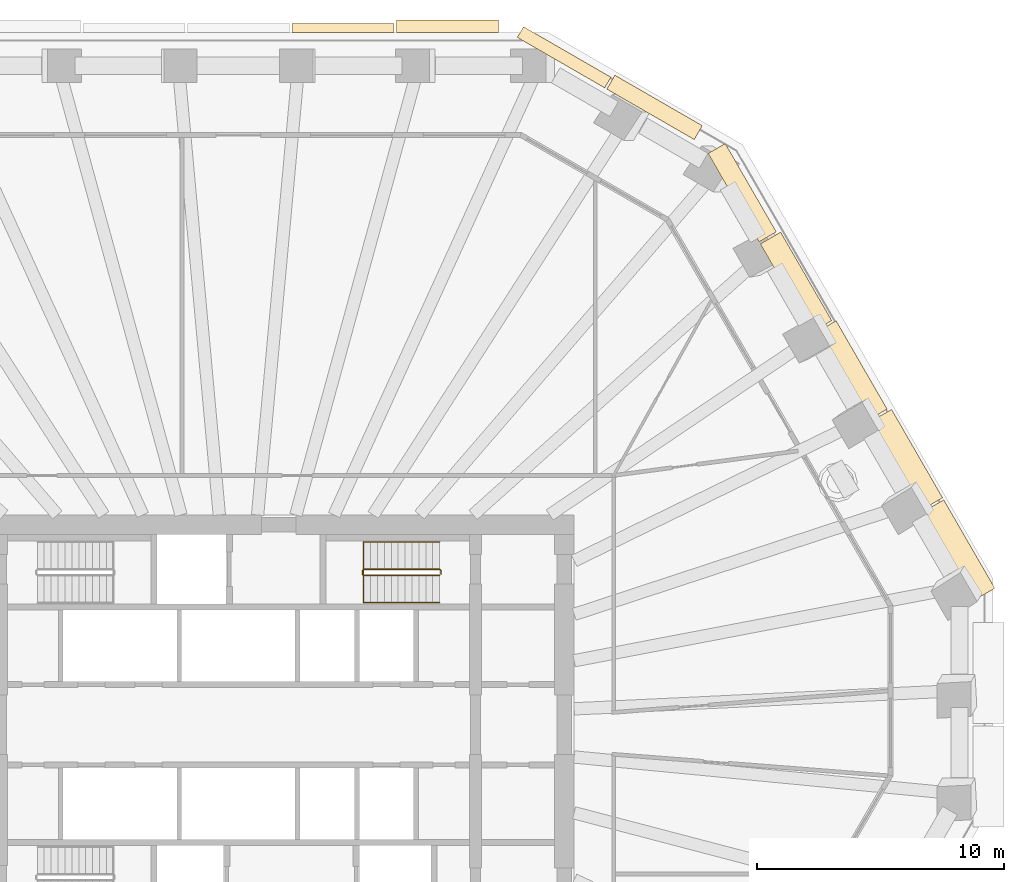
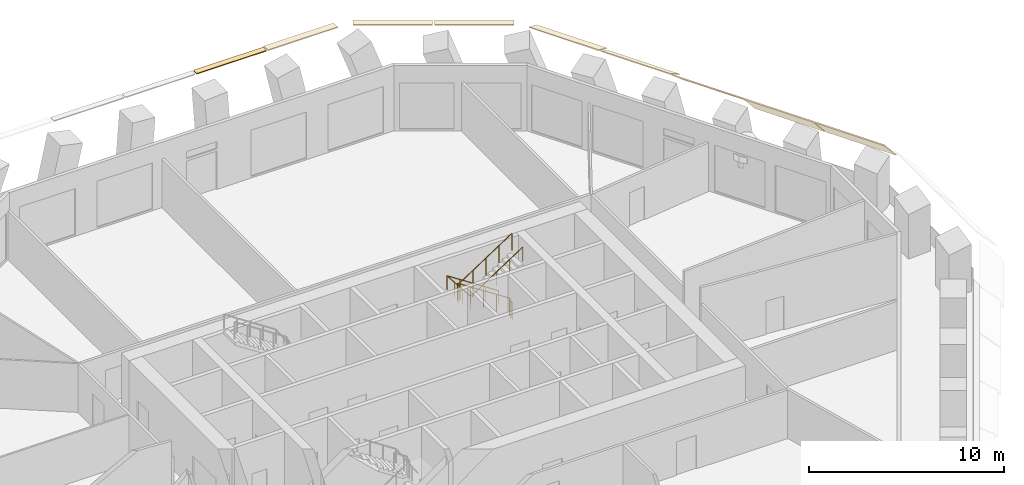
# One storey, part 10 of 12: 9 coverings, 2 railings.
"""IFC4 building model written with IfcOpenShell, lengths in metres."""

from ifc_helpers import new_model, si_unit, direction, frame, origin, origin_2d, place, context, subcontext, project, spatial, polyline, circle, outline, extrude, material, layer, layer_set, type_object, element, save


model = new_model("IFC4")

# Units and contexts
model_context = context("Model", 3, precision=1e-05, world=origin(), true_north=direction((0.0, 1.0)))
body_context = subcontext(model_context, "Body", "Model", "MODEL_VIEW")
ifc_project = project(units=[si_unit("LENGTHUNIT", "METRE"), si_unit("AREAUNIT", "SQUARE_METRE"), si_unit("VOLUMEUNIT", "CUBIC_METRE"), si_unit("PLANEANGLEUNIT", "RADIAN"), si_unit("MASSUNIT", "GRAM", prefix="KILO")], contexts=[model_context])

# Site, building, storey
site_placement = place(None, origin())
site = spatial("IfcSite", under=ifc_project, at=site_placement, CompositionType="ELEMENT")
building_placement = place(site_placement, origin())
building = spatial("IfcBuilding", under=site, at=building_placement, Name="Frailejon Research Tower", CompositionType="ELEMENT")
storey_placement = place(building_placement, frame((0.0, 0.0, 135.199951171875)))
storey = spatial("IfcBuildingStorey", under=building, at=storey_placement, Name="L29", CompositionType="ELEMENT", Elevation=135.199951171875)

# Coverings
ifc_material_1 = material(Name="Precast concrete C50/60", Category="concrete")
ifc_layer_1 = layer(ifc_material_1, 0.06005859375)
ifc_layer_set_1 = layer_set([ifc_layer_1], Name="Brim blade depth 1100")
covering_type_1 = type_object("IfcCoveringType", Name="Brim blade depth 1100", PredefinedType="CLADDING", material=ifc_layer_set_1)
covering_1_placement = place(storey_placement, frame((23.259033203125, 15.814208984375, 4.25), z_axis=(0.500001996169, -0.866024251293, 0.0), x_axis=(0.866024251293, 0.500001996169, 0.0)))
element("IfcCovering", 1, at=covering_1_placement, inside=storey, type_object=covering_type_1, Name="Brim blade L29", PredefinedType="CLADDING", context=body_context, shape_type="SweptSolid", body=[
    extrude(outline(polyline([(0.0, -0.078369140625), (1.10009765625, -1.001220703125), (1.10009765625, -0.923095703125), (0.0, 0.0), (0.0, -0.078369140625)])), origin(), (0.0, 0.0, 1.0), 4.132080078125),
])
ifc_material_2 = material(Name="Precast concrete C50/60", Category="concrete")
ifc_layer_2 = layer(ifc_material_2, 0.06005859375)
ifc_layer_set_2 = layer_set([ifc_layer_2], Name="Brim blade depth 1250")
covering_type_2 = type_object("IfcCoveringType", Name="Brim blade depth 1250", PredefinedType="CLADDING", material=ifc_layer_set_2)
for number, where, z_axis, x_axis, name in (
    (2, (27.490966796875, 8.484130859375, 4.25), (0.500012227926, -0.866018343873, 0.0), (0.866018343873, 0.500012227926, 0.0), "Brim blade L29"),
    (3, (25.375, 12.149169921875, 4.25), (0.499984274002, -0.866034483003, 0.0), (0.866034483003, 0.499984274002, 0.0), "Brim blade L29"),
):
    element("IfcCovering", number, at=place(storey_placement, frame(where, z_axis=z_axis, x_axis=x_axis)), inside=storey, type_object=covering_type_2, Name=name, PredefinedType="CLADDING", context=body_context, shape_type="SweptSolid", body=[
        extrude(outline(polyline([(0.0, -0.0888671875), (1.25, -1.452880859375), (1.25, -1.364013671875), (0.0, 0.0), (0.0, -0.0888671875)])), origin(), (0.0, 0.0, 1.0), 4.1318359375),
    ])
ifc_material_3 = material(Name="Precast concrete C50/60", Category="concrete")
ifc_layer_3 = layer(ifc_material_3, 0.06005859375)
ifc_layer_set_3 = layer_set([ifc_layer_3], Name="Brim blade depth 350")
covering_type_3 = type_object("IfcCoveringType", Name="Brim blade depth 350", PredefinedType="CLADDING", material=ifc_layer_set_3)
covering_2_placement = place(storey_placement, frame((2.166015625, 28.050048828125, 4.25), z_axis=(1.0, 0.0, 0.0), x_axis=(0.0, 1.0, 0.0)))
element("IfcCovering", 4, at=covering_2_placement, inside=storey, type_object=covering_type_3, Name="Brim blade L29", PredefinedType="CLADDING", context=body_context, shape_type="SweptSolid", body=[
    extrude(outline(polyline([(0.0, -0.06005859375), (0.35009765625, -0.06005859375), (0.35009765625, 0.0), (0.0, 0.0), (0.0, -0.06005859375)])), origin(), (0.0, 0.0, 1.0), 4.1318359375),
])
ifc_material_4 = material(Name="Precast concrete C50/60", Category="concrete")
ifc_layer_4 = layer(ifc_material_4, 0.06005859375)
ifc_layer_set_4 = layer_set([ifc_layer_4], Name="Brim blade depth 500")
covering_type_4 = type_object("IfcCoveringType", Name="Brim blade depth 500", PredefinedType="CLADDING", material=ifc_layer_set_4)
covering_3_placement = place(storey_placement, frame((11.298095703125, 27.843994140625, 4.25), z_axis=(0.866021344981, -0.500007029989, 0.0), x_axis=(0.500007029989, 0.866021344981, 0.0)))
element("IfcCovering", 5, at=covering_3_placement, inside=storey, type_object=covering_type_4, Name="Brim blade L29", PredefinedType="CLADDING", context=body_context, shape_type="SweptSolid", body=[
    extrude(outline(polyline([(0.0, -0.060546875), (0.5, -0.130859375), (0.5, -0.0703125), (0.0, 0.0), (0.0, -0.060546875)])), origin(), (0.0, 0.0, 1.0), 4.08740234375),
])
covering_4_placement = place(storey_placement, frame((6.39794921875, 28.050048828125, 4.25), z_axis=(1.0, 0.0, 0.0), x_axis=(0.0, 1.0, 0.0)))
element("IfcCovering", 6, at=covering_4_placement, inside=storey, type_object=covering_type_4, Name="Brim blade L29", PredefinedType="CLADDING", context=body_context, shape_type="SweptSolid", body=[
    extrude(outline(polyline([(0.0, -0.060546875), (0.5, -0.130859375), (0.5, -0.0703125), (0.0, 0.0), (0.0, -0.060546875)])), origin(), (0.0, 0.0, 1.0), 4.132080078125),
])
ifc_material_5 = material(Name="Precast concrete C50/60", Category="concrete")
ifc_layer_5 = layer(ifc_material_5, 0.06005859375)
ifc_layer_set_5 = layer_set([ifc_layer_5], Name="Brim blade depth 650")
covering_type_5 = type_object("IfcCoveringType", Name="Brim blade depth 650", PredefinedType="CLADDING", material=ifc_layer_set_5)
covering_5_placement = place(storey_placement, frame((14.9248046875, 25.750244140625, 4.25), z_axis=(0.866021344981, -0.500007029989, 0.0), x_axis=(0.500007029989, 0.866021344981, 0.0)))
element("IfcCovering", 7, at=covering_5_placement, inside=storey, type_object=covering_type_5, Name="Brim blade L29", PredefinedType="CLADDING", context=body_context, shape_type="SweptSolid", body=[
    extrude(outline(polyline([(0.0, -0.0625), (0.64990234375, -0.248779296875), (0.64990234375, -0.186279296875), (0.0, 0.0), (0.0, -0.0625)])), origin(), (0.0, 0.0, 1.0), 4.08740234375),
])
ifc_material_6 = material(Name="Precast concrete C50/60", Category="concrete")
ifc_layer_6 = layer(ifc_material_6, 0.06005859375)
ifc_layer_set_6 = layer_set([ifc_layer_6], Name="Brim blade depth 800")
covering_type_6 = type_object("IfcCoveringType", Name="Brim blade depth 800", PredefinedType="CLADDING", material=ifc_layer_set_6)
covering_6_placement = place(storey_placement, frame((19.027099609375, 23.14404296875, 4.25), z_axis=(0.500012227926, -0.866018343873, 0.0), x_axis=(0.866018343873, 0.500012227926, 0.0)))
element("IfcCovering", 8, at=covering_6_placement, inside=storey, type_object=covering_type_6, Name="Brim blade L29", PredefinedType="CLADDING", context=body_context, shape_type="SweptSolid", body=[
    extrude(outline(polyline([(0.0, -0.065673828125), (0.800048828125, -0.421875), (0.800048828125, -0.356201171875), (0.0, 0.0), (0.0, -0.065673828125)])), origin(), (0.0, 0.0, 1.0), 4.1318359375),
])
ifc_material_7 = material(Name="Precast concrete C50/60", Category="concrete")
ifc_layer_7 = layer(ifc_material_7, 0.06005859375)
ifc_layer_set_7 = layer_set([ifc_layer_7], Name="Brim blade depth 950")
covering_type_7 = type_object("IfcCoveringType", Name="Brim blade depth 950", PredefinedType="CLADDING", material=ifc_layer_set_7)
covering_7_placement = place(storey_placement, frame((21.14306640625, 19.479248046875, 4.25), z_axis=(0.500001996169, -0.866024251293, 0.0), x_axis=(0.866024251293, 0.500001996169, 0.0)))
element("IfcCovering", 9, at=covering_7_placement, inside=storey, type_object=covering_type_7, Name="Brim blade L29", PredefinedType="CLADDING", context=body_context, shape_type="SweptSolid", body=[
    extrude(outline(polyline([(0.0, -0.07080078125), (0.949951171875, -0.664306640625), (0.949951171875, -0.593505859375), (0.0, 0.0), (0.0, -0.07080078125)])), origin(), (0.0, 0.0, 1.0), 4.132080078125),
])

# Railings
ifc_material_8 = material(Name="Stainless steel", Category="steel")
railing_type_1 = type_object("IfcRailingType", Name="Stair guard 1100", PredefinedType="GUARDRAIL", material=ifc_material_8)
railing_1_placement = place(storey_placement, frame((8.199951171875, 6.10009765625, 0.0)))
element("IfcRailing", 10, at=railing_1_placement, inside=storey, type_object=railing_type_1, Name="L29 ST3 stair guard 1", PredefinedType="GUARDRAIL", context=body_context, shape_type="SweptSolid", body=[
    extrude(circle(Radius=0.02392578125, at=origin_2d()), frame((0.0, 0.0, 1.076171875), z_axis=(0.0, 1.0, 0.0), x_axis=(-1.0, 0.0, 0.0)), (0.0, 0.0, 1.0), 0.14990234375),
    extrude(circle(Radius=0.02392578125, at=origin_2d()), frame((0.0, 0.14990234375, 1.076171875), z_axis=(-0.254653276557, 0.254653276557, 0.932900539971), x_axis=(-0.707106781187, -0.707106781187, 0.0)), (0.0, 0.0, 1.0), 0.196533203125),
    extrude(circle(Radius=0.02392578125, at=origin_2d()), frame((-0.050048828125, 0.199951171875, 1.25927734375), z_axis=(-0.836613101238, 0.0, 0.547794230379), x_axis=(0.0, -1.0, 0.0)), (0.0, 0.0, 1.0), 3.681396484375),
    extrude(circle(Radius=0.02392578125, at=origin_2d()), frame((-3.1298828125, 0.199951171875, 3.27587890625), z_axis=(-0.707106781187, -0.707106781187, 0.0), x_axis=(0.707106781187, -0.707106781187, 0.0)), (0.0, 0.0, 1.0), 0.07080078125),
    extrude(circle(Radius=0.02392578125, at=origin_2d()), frame((-3.179931640625, 0.14990234375, 3.27587890625), z_axis=(0.0, -1.0, 0.0), x_axis=(1.0, 0.0, 0.0)), (0.0, 0.0, 1.0), 0.14990234375),
    extrude(circle(Radius=0.02392578125, at=origin_2d()), frame((-3.179931640625, 0.0, 3.27587890625), z_axis=(0.254653276557, -0.254653276557, 0.932900539971), x_axis=(0.707106781187, 0.707106781187, 0.0)), (0.0, 0.0, 1.0), 0.196533203125),
    extrude(circle(Radius=0.02392578125, at=origin_2d()), frame((-3.1298828125, -0.050048828125, 3.45947265625), z_axis=(0.836582707638, 0.0, 0.547840645882), x_axis=(0.0, 1.0, 0.0)), (0.0, 0.0, 1.0), 3.681396484375),
    extrude(circle(Radius=0.02099609375, at=origin_2d()), origin(), (0.0, 0.0, 1.0), 1.052001953125),
    extrude(circle(Radius=0.02099609375, at=origin_2d()), frame((0.0, 0.14990234375, 0.0)), (0.0, 0.0, 1.0), 1.052001953125),
    extrude(circle(Radius=0.02099609375, at=origin_2d()), frame((-0.050048828125, 0.199951171875, 0.183349609375)), (0.0, 0.0, 1.0), 1.052001953125),
    extrude(circle(Radius=0.02099609375, at=origin_2d()), frame((-0.820068359375, 0.199951171875, 0.6875)), (0.0, 0.0, 1.0), 1.052001953125),
    extrude(circle(Radius=0.02099609375, at=origin_2d()), frame((-1.58984375, 0.199951171875, 1.191650390625)), (0.0, 0.0, 1.0), 1.052001953125),
    extrude(circle(Radius=0.02099609375, at=origin_2d()), frame((-2.35986328125, 0.199951171875, 1.69580078125)), (0.0, 0.0, 1.0), 1.052001953125),
    extrude(circle(Radius=0.02099609375, at=origin_2d()), frame((-3.1298828125, 0.199951171875, 2.199951171875)), (0.0, 0.0, 1.0), 1.052001953125),
    extrude(circle(Radius=0.02099609375, at=origin_2d()), frame((-3.179931640625, 0.14990234375, 2.199951171875)), (0.0, 0.0, 1.0), 1.052001953125),
    extrude(circle(Radius=0.02099609375, at=origin_2d()), frame((-3.179931640625, 0.0, 2.199951171875)), (0.0, 0.0, 1.0), 1.052001953125),
    extrude(circle(Radius=0.02099609375, at=origin_2d()), frame((-3.1298828125, -0.050048828125, 2.38330078125)), (0.0, 0.0, 1.0), 1.052001953125),
    extrude(circle(Radius=0.02099609375, at=origin_2d()), frame((-2.35986328125, -0.050048828125, 2.887451171875)), (0.0, 0.0, 1.0), 1.052001953125),
    extrude(circle(Radius=0.02099609375, at=origin_2d()), frame((-1.58984375, -0.050048828125, 3.3916015625)), (0.0, 0.0, 1.0), 1.052001953125),
    extrude(circle(Radius=0.02099609375, at=origin_2d()), frame((-0.820068359375, -0.050048828125, 3.89599609375)), (0.0, 0.0, 1.0), 1.052001953125),
    extrude(circle(Radius=0.02099609375, at=origin_2d()), frame((-0.050048828125, -0.050048828125, 4.400146484375)), (0.0, 0.0, 1.0), 1.052001953125),
])
ifc_material_9 = material(Name="Stainless steel", Category="steel")
railing_type_2 = type_object("IfcRailingType", Name="Stair handrail 900", PredefinedType="HANDRAIL", material=ifc_material_9)
railing_2_placement = place(storey_placement, frame((8.14990234375, 7.39990234375, 0.183349609375)))
element("IfcRailing", 11, at=railing_2_placement, inside=storey, type_object=railing_type_2, Name="L29 ST3 stair handrail 1", PredefinedType="HANDRAIL", context=body_context, shape_type="SweptSolid", body=[
    extrude(circle(Radius=0.02392578125, at=origin_2d()), frame((0.0, 0.0, 0.8759765625), z_axis=(-0.836613101238, 0.0, 0.547794230379), x_axis=(0.0, -1.0, 0.0)), (0.0, 0.0, 1.0), 3.681396484375),
    extrude(circle(Radius=0.02392578125, at=origin_2d()), frame((-3.079833984375, 0.0, 2.892578125), z_axis=(0.0, -0.99721134034, 0.074629368868), x_axis=(1.0, 0.0, 0.0)), (0.0, 0.0, 1.0), 2.456787109375),
    extrude(circle(Radius=0.02392578125, at=origin_2d()), frame((-3.079833984375, -2.449951171875, 3.07568359375), z_axis=(0.836582707638, 0.0, 0.547840645882), x_axis=(0.0, 1.0, 0.0)), (0.0, 0.0, 1.0), 3.681396484375),
    extrude(circle(Radius=0.02099609375, at=origin_2d()), origin(), (0.0, 0.0, 1.0), 0.851806640625),
    extrude(circle(Radius=0.02099609375, at=origin_2d()), frame((-0.77001953125, 0.0, 0.504150390625)), (0.0, 0.0, 1.0), 0.851806640625),
    extrude(circle(Radius=0.02099609375, at=origin_2d()), frame((-1.5400390625, 0.0, 1.00830078125)), (0.0, 0.0, 1.0), 0.851806640625),
    extrude(circle(Radius=0.02099609375, at=origin_2d()), frame((-2.309814453125, 0.0, 1.512451171875)), (0.0, 0.0, 1.0), 0.851806640625),
    extrude(circle(Radius=0.02099609375, at=origin_2d()), frame((-3.079833984375, 0.0, 2.0166015625)), (0.0, 0.0, 1.0), 0.851806640625),
    extrude(circle(Radius=0.02099609375, at=origin_2d()), frame((-3.079833984375, -0.816650390625, 2.07763671875)), (0.0, 0.0, 1.0), 0.851806640625),
    extrude(circle(Radius=0.02099609375, at=origin_2d()), frame((-3.079833984375, -1.63330078125, 2.138916015625)), (0.0, 0.0, 1.0), 0.851806640625),
    extrude(circle(Radius=0.02099609375, at=origin_2d()), frame((-3.079833984375, -2.449951171875, 2.199951171875)), (0.0, 0.0, 1.0), 0.851806640625),
    extrude(circle(Radius=0.02099609375, at=origin_2d()), frame((-2.309814453125, -2.449951171875, 2.7041015625)), (0.0, 0.0, 1.0), 0.851806640625),
    extrude(circle(Radius=0.02099609375, at=origin_2d()), frame((-1.5400390625, -2.449951171875, 3.20849609375)), (0.0, 0.0, 1.0), 0.851806640625),
    extrude(circle(Radius=0.02099609375, at=origin_2d()), frame((-0.77001953125, -2.449951171875, 3.712646484375)), (0.0, 0.0, 1.0), 0.851806640625),
    extrude(circle(Radius=0.02099609375, at=origin_2d()), frame((0.0, -2.449951171875, 4.216796875)), (0.0, 0.0, 1.0), 0.851806640625),
])

save(model, "model.ifc")
